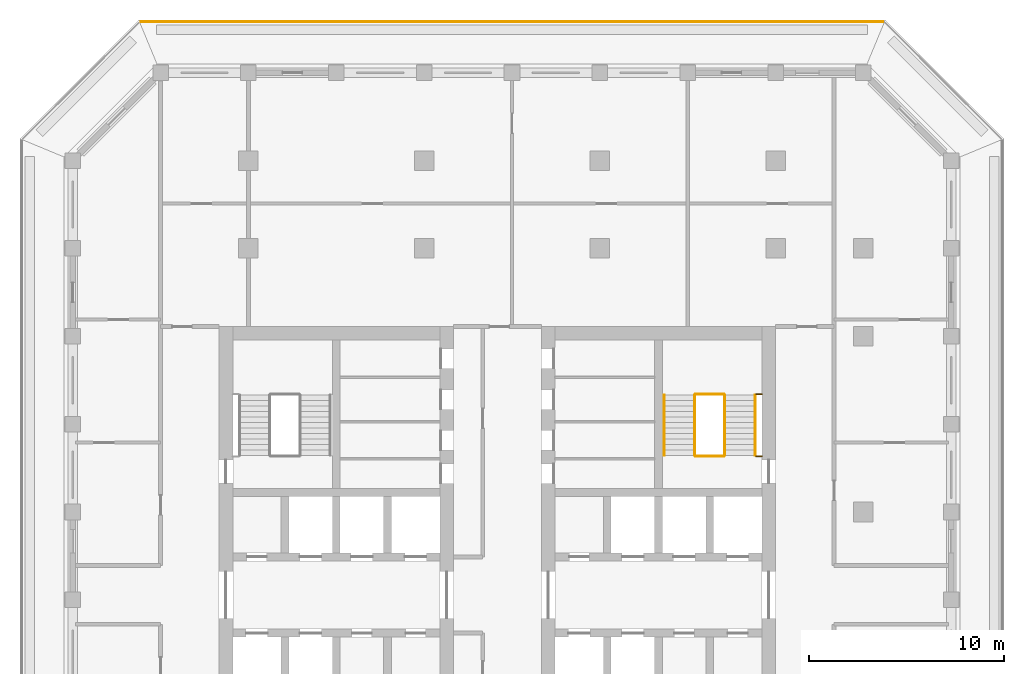
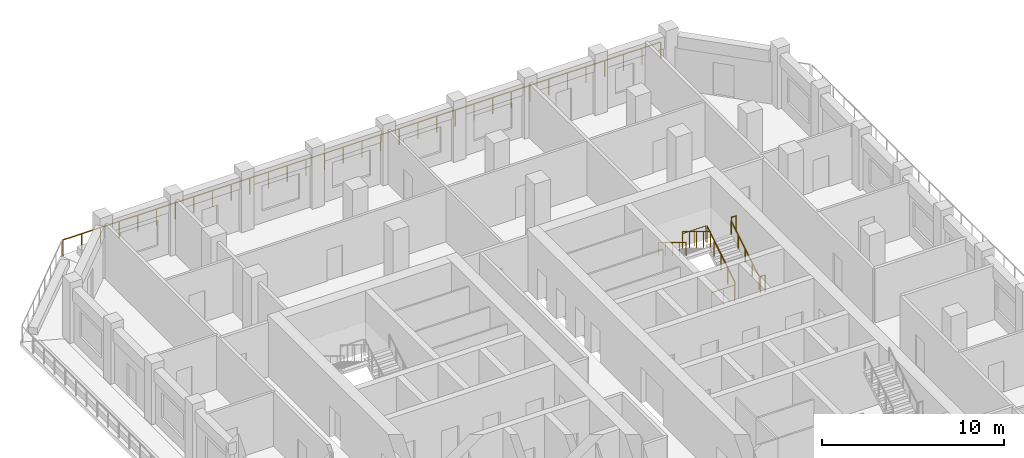
# One storey, part 15 of 17: 9 railings.
"""IFC4 building model written with IfcOpenShell, lengths in metres."""

from ifc_helpers import new_model, si_unit, direction, frame, origin, origin_2d, place, context, subcontext, project, spatial, circle, extrude, material, type_object, element, save


model = new_model("IFC4")

# Units and contexts
model_context = context("Model", 3, precision=1e-05, world=origin(), true_north=direction((0.0, 1.0)))
body_context = subcontext(model_context, "Body", "Model", "MODEL_VIEW")
ifc_project = project(units=[si_unit("LENGTHUNIT", "METRE"), si_unit("AREAUNIT", "SQUARE_METRE"), si_unit("VOLUMEUNIT", "CUBIC_METRE"), si_unit("PLANEANGLEUNIT", "RADIAN"), si_unit("MASSUNIT", "GRAM", prefix="KILO")], contexts=[model_context])

# Site, building, storey
site_placement = place(None, origin())
site = spatial("IfcSite", under=ifc_project, at=site_placement, CompositionType="ELEMENT")
building_placement = place(site_placement, origin())
building = spatial("IfcBuilding", under=site, at=building_placement, Name="Corbel Stack Research Tower", CompositionType="ELEMENT")
storey_placement = place(building_placement, frame((0.0, 0.0, 235.699951171875)))
storey = spatial("IfcBuildingStorey", under=building, at=storey_placement, Name="L53", CompositionType="ELEMENT", Elevation=235.699951171875)

# Railings
ifc_material_1 = material(Name="Steel S355", Category="steel")
railing_type_1 = type_object("IfcRailingType", Name="Stair guard 1100", PredefinedType="GUARDRAIL", material=ifc_material_1)
railing_1_placement = place(storey_placement, frame((15.39990234375, 11.89990234375, 0.1708984375)))
element("IfcRailing", 1, at=railing_1_placement, inside=storey, type_object=railing_type_1, Name="L53 ST-E2 stair guard 1", PredefinedType="GUARDRAIL", context=body_context, shape_type="SweptSolid", body=[
    extrude(circle(Radius=0.02392578125, at=origin_2d()), frame((0.0, 0.0, 1.076171875), z_axis=(0.0, 0.853666305674, 0.52082035152), x_axis=(-1.0, 0.0, 0.0)), (0.0, 0.0, 1.0), 3.608154296875),
    extrude(circle(Radius=0.02099609375, at=origin_2d()), origin(), (0.0, 0.0, 1.0), 1.052001953125),
    extrude(circle(Radius=0.02099609375, at=origin_2d()), frame((0.0, 0.77001953125, 0.4697265625)), (0.0, 0.0, 1.0), 1.052001953125),
    extrude(circle(Radius=0.02099609375, at=origin_2d()), frame((0.0, 1.5400390625, 0.939453125)), (0.0, 0.0, 1.0), 1.052001953125),
    extrude(circle(Radius=0.02099609375, at=origin_2d()), frame((0.0, 2.31005859375, 1.409423828125)), (0.0, 0.0, 1.0), 1.052001953125),
    extrude(circle(Radius=0.02099609375, at=origin_2d()), frame((0.0, 3.080078125, 1.879150390625)), (0.0, 0.0, 1.0), 1.052001953125),
])
railing_2_placement = place(storey_placement, frame((15.35009765625, 15.030029296875, 2.050048828125)))
element("IfcRailing", 2, at=railing_2_placement, inside=storey, type_object=railing_type_1, Name="L53 ST-E2 stair guard 2", PredefinedType="GUARDRAIL", context=body_context, shape_type="SweptSolid", body=[
    extrude(circle(Radius=0.02392578125, at=origin_2d()), frame((0.0, 0.0, 1.076171875), z_axis=(-1.0, 0.0, 0.0), x_axis=(0.0, -1.0, 0.0)), (0.0, 0.0, 1.0), 1.4501953125),
    extrude(circle(Radius=0.02099609375, at=origin_2d()), origin(), (0.0, 0.0, 1.0), 1.052001953125),
    extrude(circle(Radius=0.02099609375, at=origin_2d()), frame((-0.72509765625, 0.0, 0.0)), (0.0, 0.0, 1.0), 1.052001953125),
    extrude(circle(Radius=0.02099609375, at=origin_2d()), frame((-1.4501953125, 0.0, 0.0)), (0.0, 0.0, 1.0), 1.052001953125),
])
railing_3_placement = place(storey_placement, frame((17.300048828125, 15.030029296875, 2.050048828125)))
element("IfcRailing", 3, at=railing_3_placement, inside=storey, type_object=railing_type_1, Name="L53 ST-E2 stair guard 3", PredefinedType="GUARDRAIL", context=body_context, shape_type="SweptSolid", body=[
    extrude(circle(Radius=0.02392578125, at=origin_2d()), frame((0.0, 0.0, 1.076171875), z_axis=(-1.0, 0.0, 0.0), x_axis=(0.0, -1.0, 0.0)), (0.0, 0.0, 1.0), 0.300048828125),
    extrude(circle(Radius=0.02099609375, at=origin_2d()), origin(), (0.0, 0.0, 1.0), 1.052001953125),
    extrude(circle(Radius=0.02099609375, at=origin_2d()), frame((-0.300048828125, 0.0, 0.0)), (0.0, 0.0, 1.0), 1.052001953125),
])
railing_4_placement = place(storey_placement, frame((13.85009765625, 14.97998046875, 2.220947265625)))
element("IfcRailing", 4, at=railing_4_placement, inside=storey, type_object=railing_type_1, Name="L53 ST-E2 stair guard 4", PredefinedType="GUARDRAIL", context=body_context, shape_type="SweptSolid", body=[
    extrude(circle(Radius=0.02392578125, at=origin_2d()), frame((0.0, 0.0, 1.076171875), z_axis=(0.0, -0.853666305674, 0.52082035152), x_axis=(1.0, 0.0, 0.0)), (0.0, 0.0, 1.0), 3.608154296875),
    extrude(circle(Radius=0.02099609375, at=origin_2d()), origin(), (0.0, 0.0, 1.0), 1.052001953125),
    extrude(circle(Radius=0.02099609375, at=origin_2d()), frame((0.0, -0.77001953125, 0.4697265625)), (0.0, 0.0, 1.0), 1.052001953125),
    extrude(circle(Radius=0.02099609375, at=origin_2d()), frame((0.0, -1.5400390625, 0.939453125)), (0.0, 0.0, 1.0), 1.052001953125),
    extrude(circle(Radius=0.02099609375, at=origin_2d()), frame((0.0, -2.31005859375, 1.409423828125)), (0.0, 0.0, 1.0), 1.052001953125),
    extrude(circle(Radius=0.02099609375, at=origin_2d()), frame((0.0, -3.080078125, 1.879150390625)), (0.0, 0.0, 1.0), 1.052001953125),
])
railing_5_placement = place(storey_placement, frame((15.35009765625, 11.85009765625, 0.0)))
element("IfcRailing", 5, at=railing_5_placement, inside=storey, type_object=railing_type_1, Name="L53 ST-E2 stair guard 5", PredefinedType="GUARDRAIL", context=body_context, shape_type="SweptSolid", body=[
    extrude(circle(Radius=0.02392578125, at=origin_2d()), frame((0.0, 0.0, 1.076171875), z_axis=(-1.0, 0.0, 0.0), x_axis=(0.0, -1.0, 0.0)), (0.0, 0.0, 1.0), 1.4501953125),
    extrude(circle(Radius=0.02099609375, at=origin_2d()), origin(), (0.0, 0.0, 1.0), 1.052001953125),
    extrude(circle(Radius=0.02099609375, at=origin_2d()), frame((-0.72509765625, 0.0, 0.0)), (0.0, 0.0, 1.0), 1.052001953125),
    extrude(circle(Radius=0.02099609375, at=origin_2d()), frame((-1.4501953125, 0.0, 0.0)), (0.0, 0.0, 1.0), 1.052001953125),
])
railing_6_placement = place(storey_placement, frame((17.300048828125, 11.85009765625, 0.0)))
element("IfcRailing", 6, at=railing_6_placement, inside=storey, type_object=railing_type_1, Name="L53 ST-E2 stair guard 6", PredefinedType="GUARDRAIL", context=body_context, shape_type="SweptSolid", body=[
    extrude(circle(Radius=0.02392578125, at=origin_2d()), frame((0.0, 0.0, 1.076171875), z_axis=(-1.0, 0.0, 0.0), x_axis=(0.0, -1.0, 0.0)), (0.0, 0.0, 1.0), 0.300048828125),
    extrude(circle(Radius=0.02099609375, at=origin_2d()), origin(), (0.0, 0.0, 1.0), 1.052001953125),
    extrude(circle(Radius=0.02099609375, at=origin_2d()), frame((-0.300048828125, 0.0, 0.0)), (0.0, 0.0, 1.0), 1.052001953125),
])
ifc_material_2 = material(Name="Steel S355", Category="steel")
railing_type_2 = type_object("IfcRailingType", Name="Stair handrail 900", PredefinedType="HANDRAIL", material=ifc_material_2)
railing_7_placement = place(storey_placement, frame((16.949951171875, 11.89990234375, 0.1708984375)))
element("IfcRailing", 7, at=railing_7_placement, inside=storey, type_object=railing_type_2, Name="L53 ST-E2 stair handrail 1", PredefinedType="HANDRAIL", context=body_context, shape_type="SweptSolid", body=[
    extrude(circle(Radius=0.02392578125, at=origin_2d()), frame((0.0, 0.0, 0.8759765625), z_axis=(0.0, 0.853666305674, 0.52082035152), x_axis=(-1.0, 0.0, 0.0)), (0.0, 0.0, 1.0), 3.608154296875),
    extrude(circle(Radius=0.02099609375, at=origin_2d()), origin(), (0.0, 0.0, 1.0), 0.851806640625),
    extrude(circle(Radius=0.02099609375, at=origin_2d()), frame((0.0, 0.77001953125, 0.4697265625)), (0.0, 0.0, 1.0), 0.851806640625),
    extrude(circle(Radius=0.02099609375, at=origin_2d()), frame((0.0, 1.5400390625, 0.939453125)), (0.0, 0.0, 1.0), 0.851806640625),
    extrude(circle(Radius=0.02099609375, at=origin_2d()), frame((0.0, 2.31005859375, 1.409423828125)), (0.0, 0.0, 1.0), 0.851806640625),
    extrude(circle(Radius=0.02099609375, at=origin_2d()), frame((0.0, 3.080078125, 1.879150390625)), (0.0, 0.0, 1.0), 0.851806640625),
])
railing_8_placement = place(storey_placement, frame((12.300048828125, 14.97998046875, 2.220947265625)))
element("IfcRailing", 8, at=railing_8_placement, inside=storey, type_object=railing_type_2, Name="L53 ST-E2 stair handrail 2", PredefinedType="HANDRAIL", context=body_context, shape_type="SweptSolid", body=[
    extrude(circle(Radius=0.02392578125, at=origin_2d()), frame((0.0, 0.0, 0.8759765625), z_axis=(0.0, -0.853666305674, 0.52082035152), x_axis=(1.0, 0.0, 0.0)), (0.0, 0.0, 1.0), 3.608154296875),
    extrude(circle(Radius=0.02099609375, at=origin_2d()), origin(), (0.0, 0.0, 1.0), 0.851806640625),
    extrude(circle(Radius=0.02099609375, at=origin_2d()), frame((0.0, -0.77001953125, 0.4697265625)), (0.0, 0.0, 1.0), 0.851806640625),
    extrude(circle(Radius=0.02099609375, at=origin_2d()), frame((0.0, -1.5400390625, 0.939453125)), (0.0, 0.0, 1.0), 0.851806640625),
    extrude(circle(Radius=0.02099609375, at=origin_2d()), frame((0.0, -2.31005859375, 1.409423828125)), (0.0, 0.0, 1.0), 0.851806640625),
    extrude(circle(Radius=0.02099609375, at=origin_2d()), frame((0.0, -3.080078125, 1.879150390625)), (0.0, 0.0, 1.0), 0.851806640625),
])
ifc_material_3 = material(Name="Powder-coated steel guard", Category="steel")
railing_type_3 = type_object("IfcRailingType", Name="Steel and glass guard 1100", PredefinedType="GUARDRAIL", material=ifc_material_3)
railing_9_placement = place(storey_placement, frame((23.50537109375, 34.10009765625, 0.0)))
element("IfcRailing", 9, at=railing_9_placement, inside=storey, type_object=railing_type_3, Name="Loggia guard L53 N", PredefinedType="GUARDRAIL", context=body_context, shape_type="SweptSolid", body=[
    extrude(circle(Radius=0.02392578125, at=origin_2d()), frame((0.0, 0.0, 1.076171875), z_axis=(-1.0, 0.0, 0.0), x_axis=(0.0, -1.0, 0.0)), (0.0, 0.0, 1.0), 38.0107421875),
    extrude(circle(Radius=0.02099609375, at=origin_2d()), origin(), (0.0, 0.0, 1.0), 1.052001953125),
    extrude(circle(Radius=0.02099609375, at=origin_2d()), frame((-1.187744140625, 0.0, 0.0)), (0.0, 0.0, 1.0), 1.052001953125),
    extrude(circle(Radius=0.02099609375, at=origin_2d()), frame((-2.375732421875, 0.0, 0.0)), (0.0, 0.0, 1.0), 1.052001953125),
    extrude(circle(Radius=0.02099609375, at=origin_2d()), frame((-3.5634765625, 0.0, 0.0)), (0.0, 0.0, 1.0), 1.052001953125),
    extrude(circle(Radius=0.02099609375, at=origin_2d()), frame((-4.75146484375, 0.0, 0.0)), (0.0, 0.0, 1.0), 1.052001953125),
    extrude(circle(Radius=0.02099609375, at=origin_2d()), frame((-5.939208984375, 0.0, 0.0)), (0.0, 0.0, 1.0), 1.052001953125),
    extrude(circle(Radius=0.02099609375, at=origin_2d()), frame((-7.126953125, 0.0, 0.0)), (0.0, 0.0, 1.0), 1.052001953125),
    extrude(circle(Radius=0.02099609375, at=origin_2d()), frame((-8.31494140625, 0.0, 0.0)), (0.0, 0.0, 1.0), 1.052001953125),
    extrude(circle(Radius=0.02099609375, at=origin_2d()), frame((-9.502685546875, 0.0, 0.0)), (0.0, 0.0, 1.0), 1.052001953125),
    extrude(circle(Radius=0.02099609375, at=origin_2d()), frame((-10.6904296875, 0.0, 0.0)), (0.0, 0.0, 1.0), 1.052001953125),
    extrude(circle(Radius=0.02099609375, at=origin_2d()), frame((-11.87841796875, 0.0, 0.0)), (0.0, 0.0, 1.0), 1.052001953125),
    extrude(circle(Radius=0.02099609375, at=origin_2d()), frame((-13.066162109375, 0.0, 0.0)), (0.0, 0.0, 1.0), 1.052001953125),
    extrude(circle(Radius=0.02099609375, at=origin_2d()), frame((-14.25390625, 0.0, 0.0)), (0.0, 0.0, 1.0), 1.052001953125),
    extrude(circle(Radius=0.02099609375, at=origin_2d()), frame((-15.44189453125, 0.0, 0.0)), (0.0, 0.0, 1.0), 1.052001953125),
    extrude(circle(Radius=0.02099609375, at=origin_2d()), frame((-16.629638671875, 0.0, 0.0)), (0.0, 0.0, 1.0), 1.052001953125),
    extrude(circle(Radius=0.02099609375, at=origin_2d()), frame((-17.817626953125, 0.0, 0.0)), (0.0, 0.0, 1.0), 1.052001953125),
    extrude(circle(Radius=0.02099609375, at=origin_2d()), frame((-19.00537109375, 0.0, 0.0)), (0.0, 0.0, 1.0), 1.052001953125),
    extrude(circle(Radius=0.02099609375, at=origin_2d()), frame((-20.193115234375, 0.0, 0.0)), (0.0, 0.0, 1.0), 1.052001953125),
    extrude(circle(Radius=0.02099609375, at=origin_2d()), frame((-21.381103515625, 0.0, 0.0)), (0.0, 0.0, 1.0), 1.052001953125),
    extrude(circle(Radius=0.02099609375, at=origin_2d()), frame((-22.56884765625, 0.0, 0.0)), (0.0, 0.0, 1.0), 1.052001953125),
    extrude(circle(Radius=0.02099609375, at=origin_2d()), frame((-23.7568359375, 0.0, 0.0)), (0.0, 0.0, 1.0), 1.052001953125),
    extrude(circle(Radius=0.02099609375, at=origin_2d()), frame((-24.944580078125, 0.0, 0.0)), (0.0, 0.0, 1.0), 1.052001953125),
    extrude(circle(Radius=0.02099609375, at=origin_2d()), frame((-26.13232421875, 0.0, 0.0)), (0.0, 0.0, 1.0), 1.052001953125),
    extrude(circle(Radius=0.02099609375, at=origin_2d()), frame((-27.3203125, 0.0, 0.0)), (0.0, 0.0, 1.0), 1.052001953125),
    extrude(circle(Radius=0.02099609375, at=origin_2d()), frame((-28.508056640625, 0.0, 0.0)), (0.0, 0.0, 1.0), 1.052001953125),
    extrude(circle(Radius=0.02099609375, at=origin_2d()), frame((-29.69580078125, 0.0, 0.0)), (0.0, 0.0, 1.0), 1.052001953125),
    extrude(circle(Radius=0.02099609375, at=origin_2d()), frame((-30.8837890625, 0.0, 0.0)), (0.0, 0.0, 1.0), 1.052001953125),
    extrude(circle(Radius=0.02099609375, at=origin_2d()), frame((-32.071533203125, 0.0, 0.0)), (0.0, 0.0, 1.0), 1.052001953125),
    extrude(circle(Radius=0.02099609375, at=origin_2d()), frame((-33.25927734375, 0.0, 0.0)), (0.0, 0.0, 1.0), 1.052001953125),
    extrude(circle(Radius=0.02099609375, at=origin_2d()), frame((-34.447265625, 0.0, 0.0)), (0.0, 0.0, 1.0), 1.052001953125),
    extrude(circle(Radius=0.02099609375, at=origin_2d()), frame((-35.635009765625, 0.0, 0.0)), (0.0, 0.0, 1.0), 1.052001953125),
    extrude(circle(Radius=0.02099609375, at=origin_2d()), frame((-36.822998046875, 0.0, 0.0)), (0.0, 0.0, 1.0), 1.052001953125),
    extrude(circle(Radius=0.02099609375, at=origin_2d()), frame((-38.0107421875, 0.0, 0.0)), (0.0, 0.0, 1.0), 1.052001953125),
])

save(model, "model.ifc")
